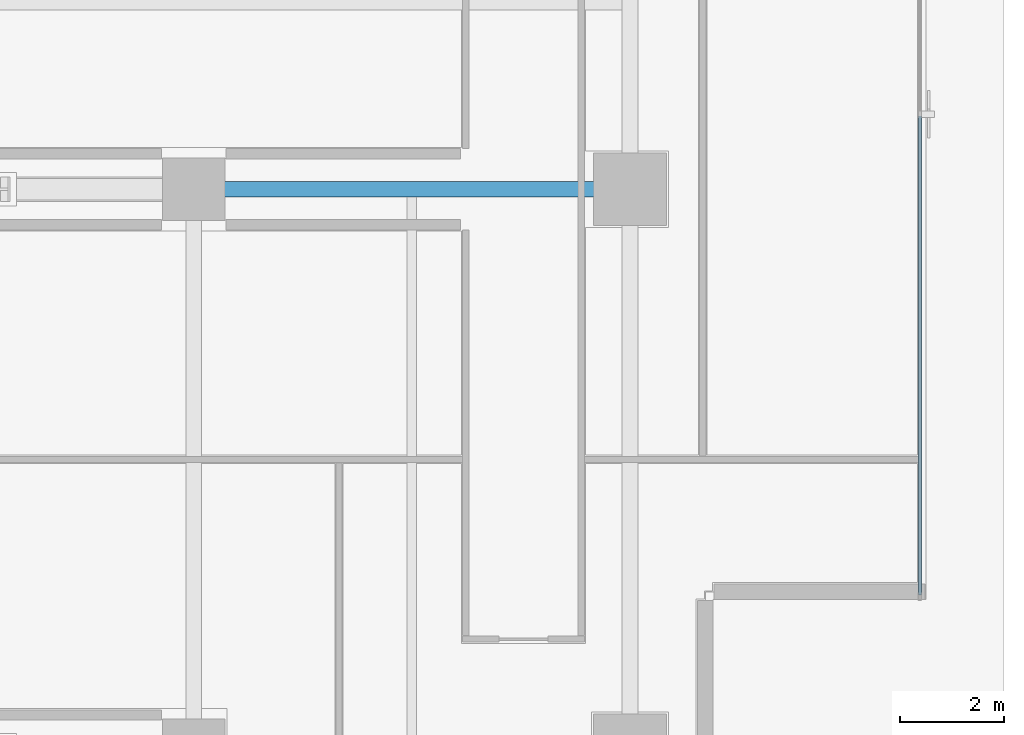
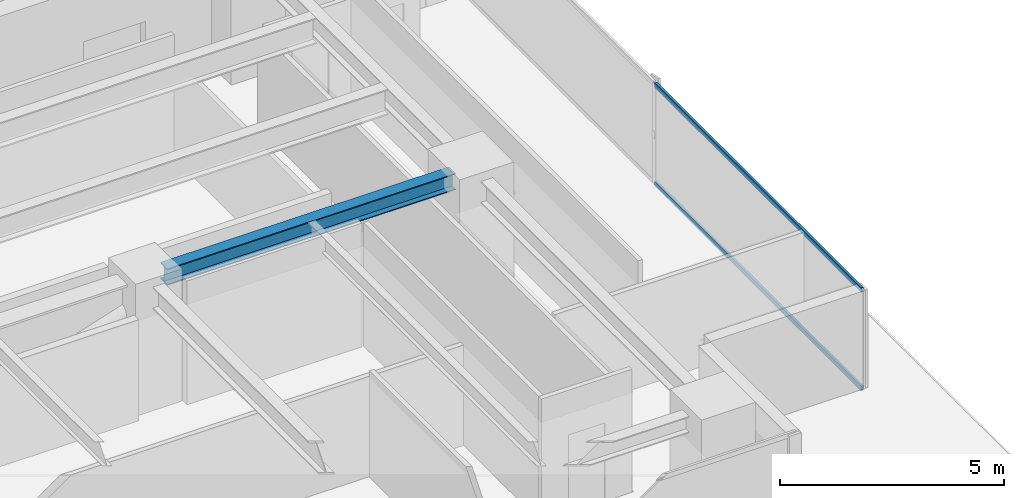
# One storey, part 12 of 27: 2 members, 1 beam, 1 element without a shape of its own.
"""IFC4 building model written with IfcOpenShell, lengths in metres."""

from ifc_helpers import new_model, si_unit, direction, frame, origin, origin_2d, place, context, subcontext, project, spatial, hollow_rectangle, i_section, extrude, source, transform, mapped, material, layer, layer_set, material_profile, profile_set, type_object, element, aggregate, save


model = new_model("IFC4")

# Units and contexts
model_context = context("Model", 3, precision=1e-05, world=origin(), true_north=direction((0.0, 1.0)))
body_context = subcontext(model_context, "Body", "Model", "MODEL_VIEW")
ifc_project = project(units=[si_unit("LENGTHUNIT", "METRE"), si_unit("AREAUNIT", "SQUARE_METRE"), si_unit("VOLUMEUNIT", "CUBIC_METRE"), si_unit("PLANEANGLEUNIT", "RADIAN"), si_unit("MASSUNIT", "GRAM", prefix="KILO")], contexts=[model_context])

# Site, building, storey
site_placement = place(None, origin())
site = spatial("IfcSite", under=ifc_project, at=site_placement, CompositionType="ELEMENT")
building_placement = place(site_placement, origin())
building = spatial("IfcBuilding", under=site, at=building_placement, Name="Sumidabori Civic Tower", CompositionType="ELEMENT")
storey_placement = place(building_placement, frame((0.0, 0.0, 228.800048828125)))
storey = spatial("IfcBuildingStorey", under=building, at=storey_placement, Name="L59", CompositionType="ELEMENT", Elevation=228.800048828125)

# Beam
ifc_material_1 = material(Name="Steel SN490", Category="steel")
ifc_material_profile_1 = material_profile(ifc_material_1, i_section(OverallWidth=0.300048828125, OverallDepth=0.449951171875, WebThickness=0.013916015625, FlangeThickness=0.02587890625, at=origin_2d()), Name="HE 450 B")
ifc_profile_set_1 = profile_set([ifc_material_profile_1], Name="Steel SN490")
beam_type = type_object("IfcBeamType", Name="BM-GIRD-450", PredefinedType="BEAM", material=ifc_profile_set_1)
shared_shape_1 = source(origin(), body_context, "Body", "SweptSolid", [
    extrude(i_section(OverallWidth=0.300048828125, OverallDepth=0.449951171875, WebThickness=0.013916015625, FlangeThickness=0.02587890625, at=origin_2d()), origin(), (0.0, 0.0, 1.0), 7.440185546875),
])
beam_placement = place(storey_placement, frame((8.8798828125, 0.0, 3.14501953125), z_axis=(1.0, 0.0, 0.0), x_axis=(0.0, 1.0, 0.0)))
element("IfcBeam", 1, at=beam_placement, inside=storey, type_object=beam_type, Name="Primary Girder L59 GX-04", PredefinedType="BEAM", context=body_context, shape_type="MappedRepresentation", body=[
    mapped(shared_shape_1, transform((0.0, 0.0, 0.0), x_axis=(1.0, 0.0, 0.0), y_axis=(0.0, 1.0, 0.0), z_axis=(0.0, 0.0, 1.0), scale=1.0)),
])

# Curtain wall, members
ifc_material_2 = material(Name="Anodised Bronze Aluminium AW-6063-T6", Category="aluminium")
ifc_layer = layer(ifc_material_2, 0.179931640625, Name="Anodised Bronze Aluminium AW-6063-T6")
ifc_layer_set = layer_set([ifc_layer], Name="Anodised Bronze Aluminium AW-6063-T6")
curtain_wall_type = type_object("IfcCurtainWallType", Name="CW-SYS-5", PredefinedType="NOTDEFINED", material=ifc_layer_set)
curtain_wall_placement = place(storey_placement, origin())
curtain_wall = element("IfcCurtainWall", 2, at=curtain_wall_placement, inside=storey, type_object=curtain_wall_type, Name="Curtain Wall CW:L59:R05", PredefinedType="NOTDEFINED")
ifc_material_profile_2 = material_profile(ifc_material_2, hollow_rectangle(XDim=0.06005859375, YDim=0.1298828125, WallThickness=0.0048828125, at=origin_2d()), Name="ALU TRANSOM 130x60")
ifc_profile_set_2 = profile_set([ifc_material_profile_2], Name="Anodised Bronze Aluminium AW-6063-T6")
member_type = type_object("IfcMemberType", Name="CW-TRN-130", PredefinedType="USERDEFINED", material=ifc_profile_set_2)
shared_shape_2 = source(origin(), body_context, "Body", "SweptSolid", [
    extrude(hollow_rectangle(XDim=0.06005859375, YDim=0.1298828125, WallThickness=0.0048828125, at=origin_2d()), origin(), (0.0, 0.0, 1.0), 9.223388671875),
])
member_1_placement = place(storey_placement, frame((22.3798828125, -7.81005859375, 0.030029296875), z_axis=(0.0, 1.0, 0.0), x_axis=(-1.0, 0.0, 0.0)))
member_1 = element("IfcMember", 3, at=member_1_placement, type_object=member_type, Name="CW-5 transom 1.1", ObjectType="TRANSOM", PredefinedType="USERDEFINED", context=body_context, shape_type="MappedRepresentation", body=[
    mapped(shared_shape_2, transform((0.0, 0.0, 0.0), x_axis=(1.0, 0.0, 0.0), y_axis=(0.0, 1.0, 0.0), z_axis=(0.0, 0.0, 1.0), scale=1.0)),
])
member_2_placement = place(storey_placement, frame((22.3798828125, -7.81005859375, 2.719970703125), z_axis=(0.0, 1.0, 0.0), x_axis=(-1.0, 0.0, 0.0)))
member_2 = element("IfcMember", 4, at=member_2_placement, type_object=member_type, Name="CW-5 transom 1.2", ObjectType="TRANSOM", PredefinedType="USERDEFINED", context=body_context, shape_type="MappedRepresentation", body=[
    mapped(shared_shape_2, transform((0.0, 0.0, 0.0), x_axis=(1.0, 0.0, 0.0), y_axis=(0.0, 1.0, 0.0), z_axis=(0.0, 0.0, 1.0), scale=1.0)),
])
aggregate(curtain_wall, [member_1, member_2])

save(model, "model.ifc")
